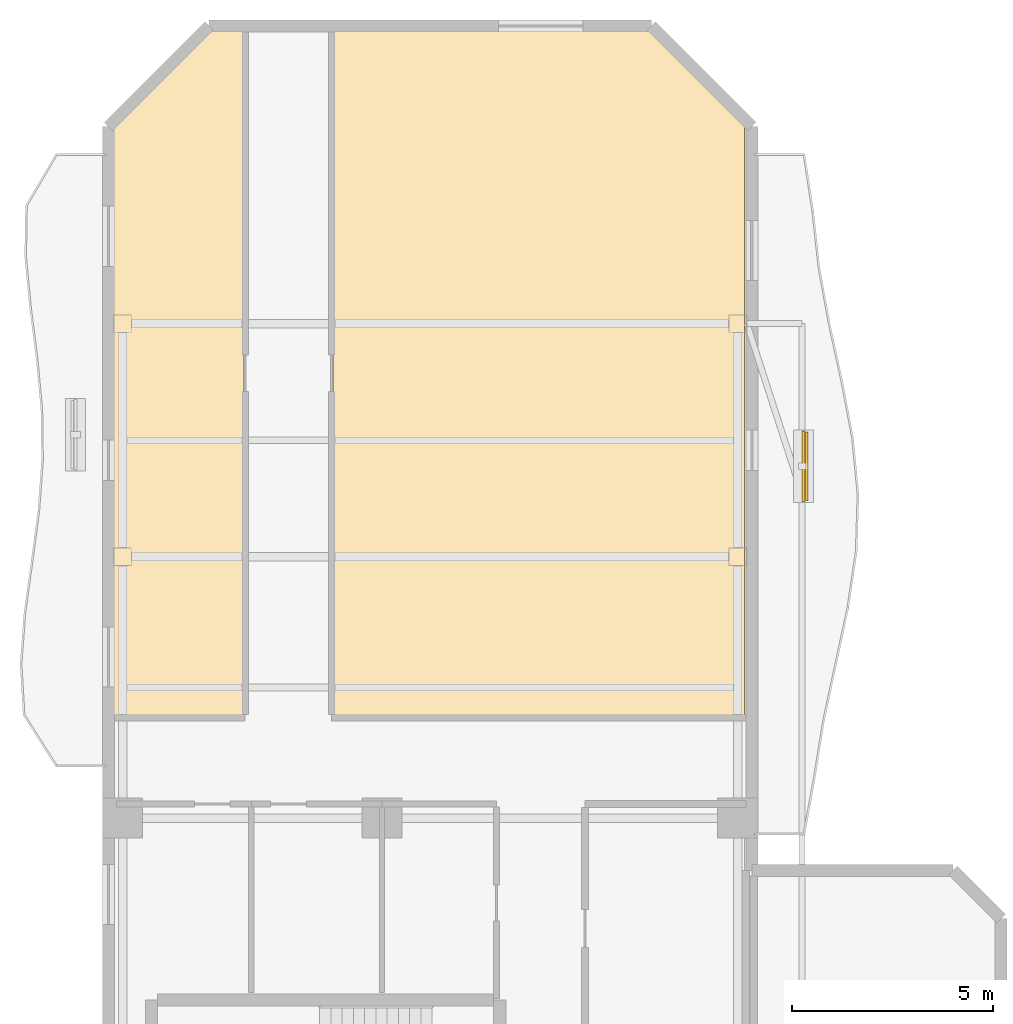
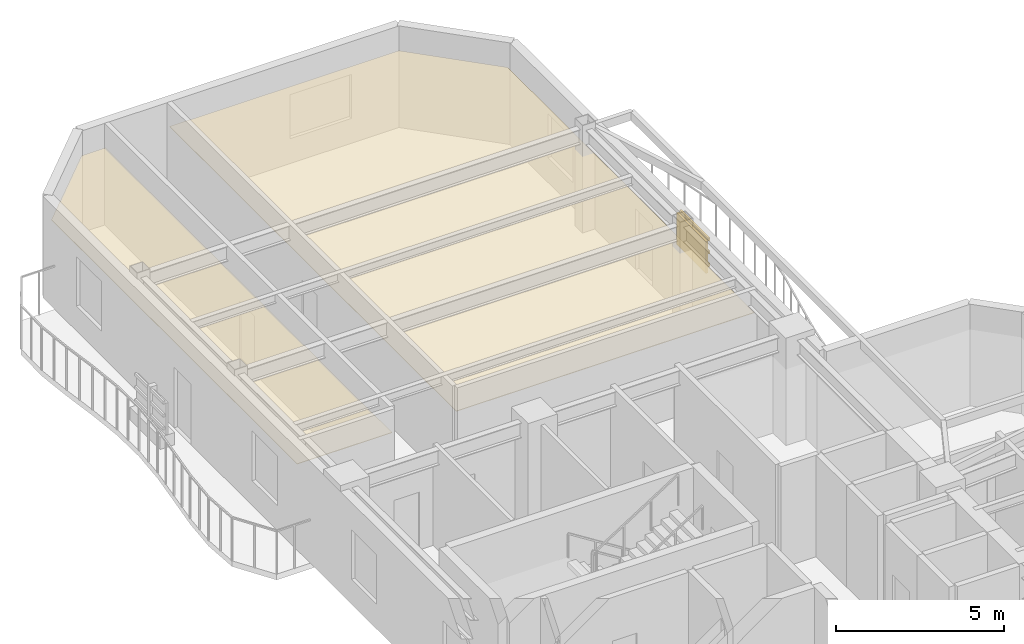
# One storey, part 8 of 8: 4 shading devices, 2 coverings.
"""IFC4 building model written with IfcOpenShell, lengths in metres."""

import ifcopenshell
import ifcopenshell.guid

model = None  # the IFC model being written
_history = None  # IfcOwnerHistory: only IFC2X3 demands one
_inside = {}  # id of a spatial element -> (the spatial element, [elements in it])
_under = {}  # id of a project, library or spatial element -> (it, [spatial elements below it])
_declared = {}  # id of a project -> (the project, [libraries it declares])
_typed = {}  # id of a type object -> (the type object, [elements of that type])
_made_of = {}  # id of a material, layer set ... -> (it, [elements and type objects made of it])


def new_model(schema):
    """Start an empty IFC model of exactly this schema.

    Asked for "IFC4X3", IfcOpenShell would pick the latest addendum, in which some entities
    have other attributes; the version numbers below select the first issue.
    IFC2X3 requires an IfcOwnerHistory on every rooted entity: one is made here for all.
    """
    global model, _history
    if schema == "IFC4X3":
        model = ifcopenshell.file(schema_version=(4, 3, 0, 0))
    else:
        model = ifcopenshell.file(schema=schema)
    _inside.clear()
    _under.clear()
    _declared.clear()
    _typed.clear()
    _made_of.clear()
    _history = None
    if model.schema == "IFC2X3":
        org = make("IfcOrganization", Name="unknown")
        user = make(
            "IfcPersonAndOrganization",
            ThePerson=make("IfcPerson", FamilyName="unknown"),
            TheOrganization=org,
        )
        app = make(
            "IfcApplication",
            ApplicationDeveloper=org,
            Version="unknown",
            ApplicationFullName="unknown",
            ApplicationIdentifier="unknown",
        )
        _history = make(
            "IfcOwnerHistory",
            OwningUser=user,
            OwningApplication=app,
            ChangeAction="ADDED",
            CreationDate=0,
        )
    return model


def make(cls, **values):
    """One entity of the class cls with the attributes given. An attribute that is None is left unset."""
    return model.create_entity(
        cls, **{name: value for name, value in values.items() if value is not None}
    )


def rooted(cls, **values):
    """An entity with a GlobalId (a new one), such as an element, a storey or a relation."""
    return make(cls, GlobalId=ifcopenshell.guid.new(), OwnerHistory=_history, **values)


def si_unit(unit_type, name, prefix=None):
    """IfcSIUnit, for example si_unit("LENGTHUNIT", "METRE", prefix="MILLI")."""
    return make("IfcSIUnit", UnitType=unit_type, Prefix=prefix, Name=name)


def assignment(units):
    """IfcUnitAssignment: the units of a project."""
    return None if units is None else make("IfcUnitAssignment", Units=units)


def point(xyz):
    """IfcCartesianPoint."""
    return None if xyz is None else make("IfcCartesianPoint", Coordinates=xyz)


def direction(xyz):
    """IfcDirection."""
    return None if xyz is None else make("IfcDirection", DirectionRatios=xyz)


def frame(location, z_axis=None, x_axis=None):
    """IfcAxis2Placement3D, a coordinate frame: its origin and axes. An axis left out is left unset."""
    return make(
        "IfcAxis2Placement3D",
        Location=point(location),
        Axis=direction(z_axis),
        RefDirection=direction(x_axis),
    )


def frame_2d(location, x_axis=None):
    """IfcAxis2Placement2D, a coordinate frame in the plane: its origin and x axis."""
    return make(
        "IfcAxis2Placement2D", Location=point(location), RefDirection=direction(x_axis)
    )


def origin():
    """The frame at (0, 0, 0) with its axes left unset."""
    return frame((0.0, 0.0, 0.0))


def origin_2d():
    """The frame at (0, 0) in the plane with its x axis left unset."""
    return frame_2d((0.0, 0.0))


def place(relative_to, where):
    """IfcLocalPlacement: puts the frame where relative to a parent placement (None: the world)."""
    return make(
        "IfcLocalPlacement", PlacementRelTo=relative_to, RelativePlacement=where
    )


def context(
    kind, dimensions, precision=None, world=None, true_north=None, identifier=None
):
    """IfcGeometricRepresentationContext, for example the 3D "Model" context."""
    return make(
        "IfcGeometricRepresentationContext",
        ContextIdentifier=identifier,
        ContextType=kind,
        CoordinateSpaceDimension=dimensions,
        Precision=precision,
        WorldCoordinateSystem=world,
        TrueNorth=true_north,
    )


def subcontext(parent, identifier, kind, view, scale=None):
    """IfcGeometricRepresentationSubContext, for example "Body" below "Model"."""
    return make(
        "IfcGeometricRepresentationSubContext",
        ContextIdentifier=identifier,
        ContextType=kind,
        ParentContext=parent,
        TargetScale=scale,
        TargetView=view,
    )


def project(units=None, contexts=None):
    """IfcProject with its units and contexts."""
    return rooted(
        "IfcProject",
        Name="project",
        RepresentationContexts=contexts,
        UnitsInContext=assignment(units),
    )


def spatial(cls, under=None, at=None, **own):
    """A site, building, storey or space (cls), placed at a placement, below another one or the project."""
    s = rooted(cls, ObjectPlacement=at, **own)
    if under is not None:
        _under.setdefault(under.id(), (under, []))[1].append(s)
    return s


def polyline(points):
    """IfcPolyline through the points."""
    return make("IfcPolyline", Points=[point(p) for p in points])


def profile(cls, at=None, kind="AREA", **sizes):
    """A parametric profile (cls). Its sizes go by their IFC names, for example OverallWidth=200.0."""
    return make(cls, ProfileType=kind, Position=at, **sizes)


def rectangle(**sizes):
    """IfcRectangleProfileDef."""
    return profile("IfcRectangleProfileDef", **sizes)


def outline(outer, holes=None, kind="AREA"):
    """IfcArbitraryClosedProfileDef: a profile drawn as a closed curve; with holes, ...WithVoids."""
    if holes is None:
        return make("IfcArbitraryClosedProfileDef", ProfileType=kind, OuterCurve=outer)
    return make(
        "IfcArbitraryProfileDefWithVoids",
        ProfileType=kind,
        OuterCurve=outer,
        InnerCurves=holes,
    )


def extrude(swept, where, along, depth):
    """IfcExtrudedAreaSolid: the profile swept, set in the frame where, extruded along a direction by depth."""
    return make(
        "IfcExtrudedAreaSolid",
        SweptArea=swept,
        Position=where,
        ExtrudedDirection=direction(along),
        Depth=depth,
    )


def shape(context_of_items, identifier, shape_type, items):
    """IfcShapeRepresentation: the items that make up one representation, for example the "Body"."""
    return make(
        "IfcShapeRepresentation",
        ContextOfItems=context_of_items,
        RepresentationIdentifier=identifier,
        RepresentationType=shape_type,
        Items=items,
    )


def material(Name=None, Category=None):
    """IfcMaterial."""
    return make("IfcMaterial", Name=Name, Category=Category)


def layer(
    of_material, thickness, ventilated=None, Name=None, Category=None, Priority=None
):
    """IfcMaterialLayer: one layer of a wall or slab, of a material (None: an air gap)."""
    return make(
        "IfcMaterialLayer",
        Material=of_material,
        LayerThickness=thickness,
        IsVentilated=ventilated,
        Name=Name,
        Category=Category,
        Priority=Priority,
    )


def layer_set(layers, Name=None):
    """IfcMaterialLayerSet."""
    return make("IfcMaterialLayerSet", MaterialLayers=layers, LayerSetName=Name)


def material_profile(
    of_material, cross_section, Name=None, Category=None, Priority=None
):
    """IfcMaterialProfile: a cross section and its material."""
    return make(
        "IfcMaterialProfile",
        Name=Name,
        Material=of_material,
        Profile=cross_section,
        Priority=Priority,
        Category=Category,
    )


def profile_set(profiles, Name=None, composite=None):
    """IfcMaterialProfileSet."""
    return make(
        "IfcMaterialProfileSet",
        Name=Name,
        MaterialProfiles=profiles,
        CompositeProfile=composite,
    )


def made_of(thing, what):
    """Note that an element or type object is made of a material, layer set ...; save() writes the relation."""
    if what is not None:
        _made_of.setdefault(what.id(), (what, []))[1].append(thing)
    return thing


def type_object(cls, material=None, **own):
    """A type object (cls), such as IfcWallType, which elements share."""
    return made_of(rooted(cls, **own), material)


def element(
    cls,
    number,
    at=None,
    inside=None,
    cuts=None,
    type_object=None,
    material=None,
    context=None,
    identifier="Body",
    shape_type=None,
    held_by="IfcProductDefinitionShape",
    body=None,
    shapes=None,
    **own,
):
    """One element of the class cls, such as IfcWall. Its Tag is "e" and its number.

    at: its placement. inside: the storey or other place that contains it. cuts: it is an
    opening in that element (IfcRelVoidsElement). A single representation is given by context,
    identifier, shape_type and body (its items); several are given by shapes. held_by: the class
    of the entity that holds the representations. save() writes the other relations.
    """
    e = rooted(cls, Tag="e%d" % number, ObjectPlacement=at, **own)
    if body is not None:
        shapes = [shape(context, identifier, shape_type, body)]
    if shapes is not None:
        e.Representation = make(held_by, Representations=shapes)
    if inside is not None:
        _inside.setdefault(inside.id(), (inside, []))[1].append(e)
    if cuts is not None:
        rooted(
            "IfcRelVoidsElement", RelatingBuildingElement=cuts, RelatedOpeningElement=e
        )
    if type_object is not None:
        _typed.setdefault(type_object.id(), (type_object, []))[1].append(e)
    return made_of(e, material)


def aggregate(whole, parts):
    """IfcRelAggregates: a whole, such as a stair, and the parts it consists of."""
    return rooted("IfcRelAggregates", RelatingObject=whole, RelatedObjects=parts)


def save(model, path):
    """Write the relations noted so far, then the file.

    IfcRelAggregates (storeys below a building ...), IfcRelContainedInSpatialStructure (elements
    in a storey), IfcRelDefinesByType, IfcRelAssociatesMaterial and IfcRelDeclares: one each for
    every whole, place, type object, material and project.
    """
    for whole, parts in _under.values():
        aggregate(whole, parts)
    for where, things in _inside.values():
        rooted(
            "IfcRelContainedInSpatialStructure",
            RelatedElements=things,
            RelatingStructure=where,
        )
    for kind, things in _typed.values():
        rooted("IfcRelDefinesByType", RelatedObjects=things, RelatingType=kind)
    for what, things in _made_of.values():
        rooted("IfcRelAssociatesMaterial", RelatedObjects=things, RelatingMaterial=what)
    for by, libraries in _declared.values():
        rooted("IfcRelDeclares", RelatingContext=by, RelatedDefinitions=libraries)
    model.write(path)


model = new_model("IFC4")

# Units and contexts
model_context = context("Model", 3, precision=1e-05, world=origin(), true_north=direction((0.0, 1.0)))
body_context = subcontext(model_context, "Body", "Model", "MODEL_VIEW")
ifc_project = project(units=[si_unit("LENGTHUNIT", "METRE"), si_unit("AREAUNIT", "SQUARE_METRE"), si_unit("VOLUMEUNIT", "CUBIC_METRE"), si_unit("PLANEANGLEUNIT", "RADIAN"), si_unit("MASSUNIT", "GRAM", prefix="KILO")], contexts=[model_context])

# Site, building, storey
site_placement = place(None, origin())
site = spatial("IfcSite", under=ifc_project, at=site_placement, CompositionType="ELEMENT")
building_placement = place(site_placement, origin())
building = spatial("IfcBuilding", under=site, at=building_placement, Name="Mawjaban Terraces University", CompositionType="ELEMENT")
storey_placement = place(building_placement, frame((0.0, 0.0, 218.699951171875)))
storey = spatial("IfcBuildingStorey", under=building, at=storey_placement, Name="L53", CompositionType="ELEMENT", Elevation=218.699951171875)

# Coverings
ifc_material_1 = material(Name="Acoustic mineral fibre ceiling tile", Category="masonry")
ifc_layer_1 = layer(ifc_material_1, 0.02001953125)
ifc_layer_set_1 = layer_set([ifc_layer_1], Name="Acoustic mineral fibre ceiling tile")
covering_type = type_object("IfcCoveringType", Name="AcousticMineralCeiling_20", PredefinedType="CEILING", material=ifc_layer_set_1)
covering_1_placement = place(storey_placement, frame((0.0, 0.0, 2.75)))
element("IfcCovering", 1, at=covering_1_placement, inside=storey, type_object=covering_type, Name="L53 Collaborative Study Room 8 Acoustic Ceiling", PredefinedType="CEILING", context=body_context, shape_type="SweptSolid", body=[
    extrude(outline(polyline([(25.3701171875, 43.0849609375), (24.547119140625, 43.0849609375), (22.114990234375, 40.653076171875), (22.114990234375, 26.030029296875), (25.3701171875, 26.030029296875), (25.3701171875, 43.0849609375)])), origin(), (0.0, 0.0, 1.0), 0.02001953125),
])
covering_2_placement = place(storey_placement, frame((0.0, 0.0, 2.75)))
element("IfcCovering", 2, at=covering_2_placement, inside=storey, type_object=covering_type, Name="L53 Collaborative Study Room 9 Acoustic Ceiling", PredefinedType="CEILING", context=body_context, shape_type="SweptSolid", body=[
    extrude(outline(polyline([(37.820068359375, 40.718017578125), (35.452880859375, 43.0849609375), (27.580078125, 43.0849609375), (27.580078125, 26.030029296875), (37.820068359375, 26.030029296875), (37.820068359375, 40.718017578125)])), origin(), (0.0, 0.0, 1.0), 0.02001953125),
])

# Shading devices
ifc_material_2 = material(Name="Glazed architectural terracotta ceramic", Category="masonry")
ifc_material_profile = material_profile(ifc_material_2, rectangle(XDim=0.06494140625, YDim=0.110107421875, at=origin_2d()), Name="TBAG110X65")
ifc_profile_set = profile_set([ifc_material_profile], Name="Glazed architectural terracotta ceramic")
shading_device_type_1 = type_object("IfcShadingDeviceType", Name="TerracottaBaguette_110x65", PredefinedType="USERDEFINED", material=ifc_profile_set)
for number, where, z_axis, x_axis, name in (
    (3, (39.366943359375, 31.404052734375, 0.679931640625), (0.0, 1.0, 0.0), (-1.0, 0.0, 0.0), "L53 Horizontal Terracotta Baguette inner_east.1"),
    (4, (39.366943359375, 31.404052734375, 1.150146484375), (0.0, 1.0, 0.0), (-1.0, 0.0, 0.0), "L53 Horizontal Terracotta Baguette inner_east.2"),
    (5, (39.366943359375, 31.404052734375, 1.6201171875), (0.0, 1.0, 0.0), (-1.0, 0.0, 0.0), "L53 Horizontal Terracotta Baguette inner_east.3"),
):
    element("IfcShadingDevice", number, at=place(storey_placement, frame(where, z_axis=z_axis, x_axis=x_axis)), inside=storey, type_object=shading_device_type_1, Name=name, ObjectType="BAGUETTE", PredefinedType="USERDEFINED", context=body_context, shape_type="SweptSolid", body=[
        extrude(rectangle(XDim=0.06494140625, YDim=0.110107421875, at=origin_2d()), origin(), (0.0, 0.0, 1.0), 1.699951171875),
    ])
ifc_layer_2 = layer(ifc_material_2, 0.080078125)
ifc_layer_set_2 = layer_set([ifc_layer_2], Name="Glazed architectural terracotta ceramic")
shading_device_type_2 = type_object("IfcShadingDeviceType", Name="TerracottaScreen_Perforated", PredefinedType="USERDEFINED", material=ifc_layer_set_2)
shading_device_placement = place(storey_placement, frame((39.281982421875, 32.25390625, 0.440185546875), z_axis=(0.0, 0.0, 1.0), x_axis=(0.0, 1.0, 0.0)))
element("IfcShadingDevice", 6, at=shading_device_placement, inside=storey, type_object=shading_device_type_2, Name="L53 Balcony Perforated Terracotta Screen inner_east", ObjectType="SCREEN", PredefinedType="USERDEFINED", context=body_context, shape_type="SweptSolid", body=[
    extrude(rectangle(XDim=1.75, YDim=0.080078125, at=origin_2d()), origin(), (0.0, 0.0, 1.0), 1.14990234375),
])

save(model, "model.ifc")
